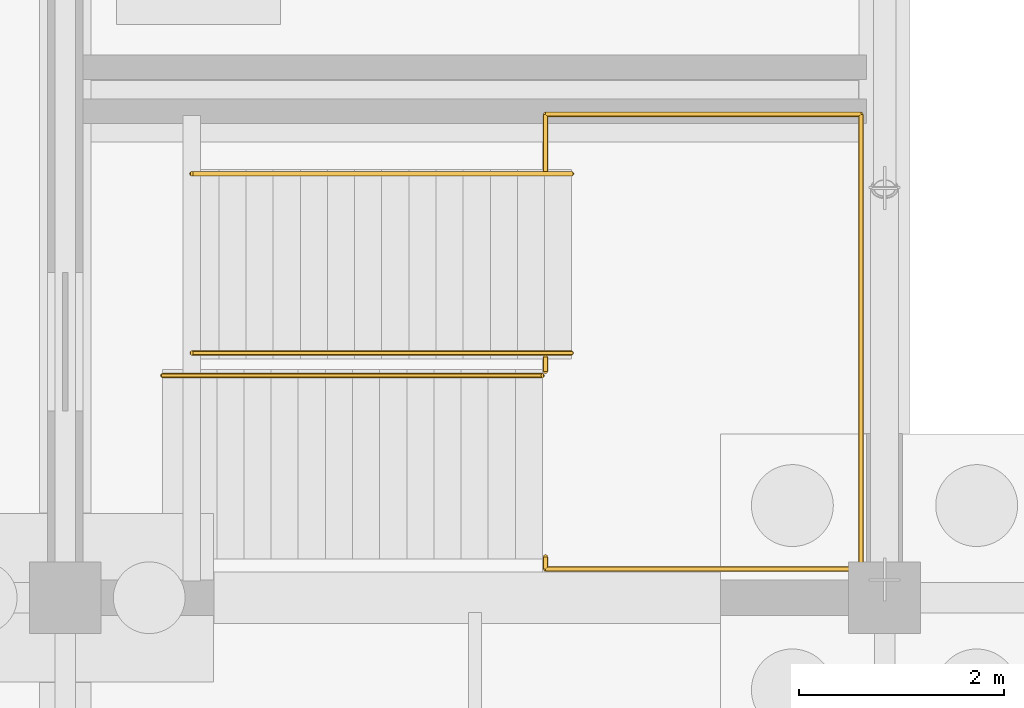
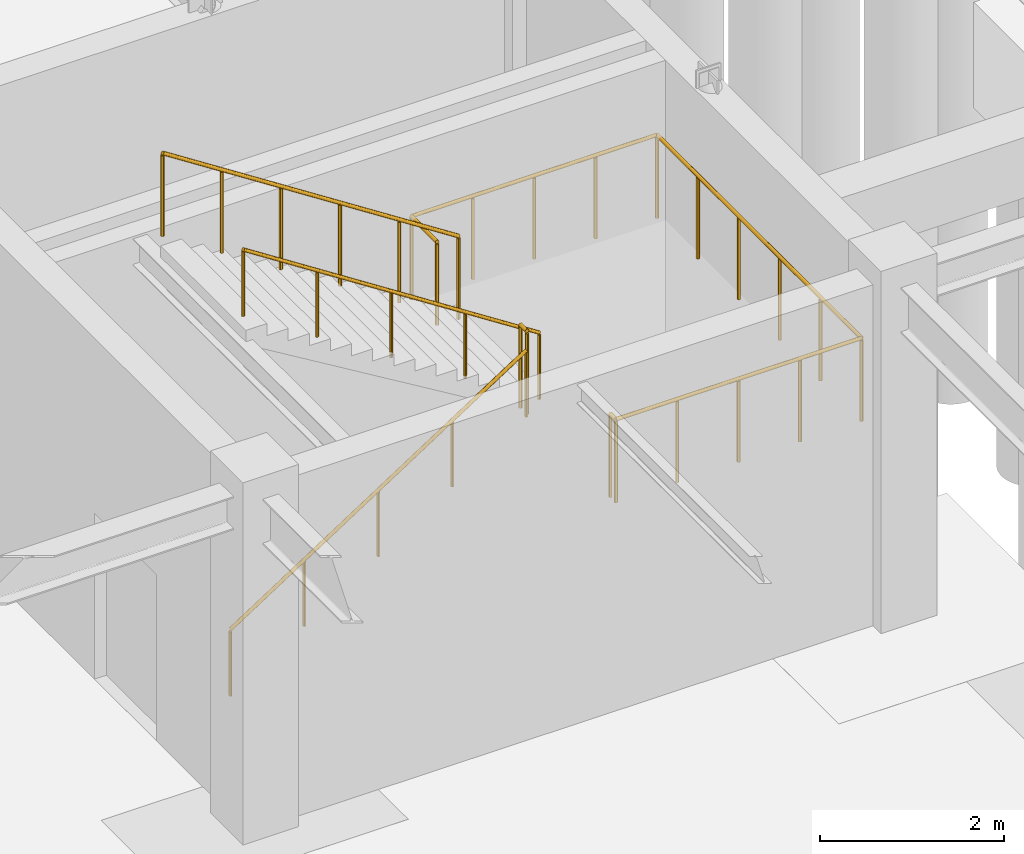
# One storey, part 69 of 72: 5 railings.
"""IFC4 building model written with IfcOpenShell, lengths in metres."""

from ifc_helpers import new_model, si_unit, direction, frame, origin, origin_2d, place, context, subcontext, project, spatial, circle, extrude, material, type_object, element, save


model = new_model("IFC4")

# Units and contexts
model_context = context("Model", 3, precision=1e-05, world=origin(), true_north=direction((0.0, 1.0)))
body_context = subcontext(model_context, "Body", "Model", "MODEL_VIEW")
ifc_project = project(units=[si_unit("LENGTHUNIT", "METRE"), si_unit("AREAUNIT", "SQUARE_METRE"), si_unit("VOLUMEUNIT", "CUBIC_METRE"), si_unit("PLANEANGLEUNIT", "RADIAN"), si_unit("MASSUNIT", "GRAM", prefix="KILO")], contexts=[model_context])

# Site, building, storey
site_placement = place(None, origin())
site = spatial("IfcSite", under=ifc_project, at=site_placement, CompositionType="ELEMENT")
building_placement = place(site_placement, origin())
building = spatial("IfcBuilding", under=site, at=building_placement, Name="Zhaolan Boulevard Law Courts", CompositionType="ELEMENT")
storey_placement = place(building_placement, frame((0.0, 0.0, -4.800048828125)))
storey = spatial("IfcBuildingStorey", under=building, at=storey_placement, Name="B1", CompositionType="ELEMENT", Elevation=-4.800048828125)

# Railings
ifc_material_1 = material(Name="Brushed stainless steel tubular handrail", Category="steel")
railing_type_1 = type_object("IfcRailingType", Name="STAIR HANDRAIL 900", PredefinedType="HANDRAIL", material=ifc_material_1)
railing_1_placement = place(storey_placement, frame((116.949951171875, 16.169921875, 0.0)))
element("IfcRailing", 1, at=railing_1_placement, inside=storey, type_object=railing_type_1, Name="Stair Handrail HR-ST05-B1-1", PredefinedType="HANDRAIL", context=body_context, shape_type="SweptSolid", body=[
    extrude(circle(Radius=0.0224609375, at=origin_2d()), frame((0.0, 0.0, 0.87744140625), z_axis=(0.839613143467, 0.0, 0.543184838999), x_axis=(0.0, 1.0, 0.0)), (0.0, 0.0, 1.0), 4.418701171875),
    extrude(circle(Radius=0.01904296875, at=origin_2d()), origin(), (0.0, 0.0, 1.0), 0.85498046875),
    extrude(circle(Radius=0.01904296875, at=origin_2d()), frame((0.927490234375, 0.0, 0.60009765625)), (0.0, 0.0, 1.0), 0.85498046875),
    extrude(circle(Radius=0.01904296875, at=origin_2d()), frame((1.85498046875, 0.0, 1.2001953125)), (0.0, 0.0, 1.0), 0.85498046875),
    extrude(circle(Radius=0.01904296875, at=origin_2d()), frame((2.782470703125, 0.0, 1.800048828125)), (0.0, 0.0, 1.0), 0.85498046875),
    extrude(circle(Radius=0.01904296875, at=origin_2d()), frame((3.7099609375, 0.0, 2.400146484375)), (0.0, 0.0, 1.0), 0.85498046875),
])
railing_2_placement = place(storey_placement, frame((120.945068359375, 16.389892578125, 2.400146484375)))
element("IfcRailing", 2, at=railing_2_placement, inside=storey, type_object=railing_type_1, Name="Stair Handrail HR-ST05-B1-2", PredefinedType="HANDRAIL", context=body_context, shape_type="SweptSolid", body=[
    extrude(circle(Radius=0.0224609375, at=origin_2d()), frame((0.0, 0.0, 0.87744140625), z_axis=(-0.839638341943, 0.0, 0.543145887161), x_axis=(0.0, -1.0, 0.0)), (0.0, 0.0, 1.0), 4.41845703125),
    extrude(circle(Radius=0.01904296875, at=origin_2d()), origin(), (0.0, 0.0, 1.0), 0.85498046875),
    extrude(circle(Radius=0.01904296875, at=origin_2d()), frame((-0.927490234375, 0.0, 0.60009765625)), (0.0, 0.0, 1.0), 0.85498046875),
    extrude(circle(Radius=0.01904296875, at=origin_2d()), frame((-1.85498046875, 0.0, 1.199951171875)), (0.0, 0.0, 1.0), 0.85498046875),
    extrude(circle(Radius=0.01904296875, at=origin_2d()), frame((-2.782470703125, 0.0, 1.7998046875)), (0.0, 0.0, 1.0), 0.85498046875),
    extrude(circle(Radius=0.01904296875, at=origin_2d()), frame((-3.7099609375, 0.0, 2.39990234375)), (0.0, 0.0, 1.0), 0.85498046875),
])
ifc_material_2 = material(Name="Powder-coated steel baluster guardrail", Category="steel")
railing_type_2 = type_object("IfcRailingType", Name="STAIR WELL GUARDRAIL 1120", PredefinedType="GUARDRAIL", material=ifc_material_2)
railing_3_placement = place(storey_placement, frame((120.68994140625, 14.39990234375, 2.400146484375)))
element("IfcRailing", 3, at=railing_3_placement, inside=storey, type_object=railing_type_2, Name="Half-Landing Guardrail SG-ST05-B1-M", PredefinedType="GUARDRAIL", context=body_context, shape_type="SweptSolid", body=[
    extrude(circle(Radius=0.02392578125, at=origin_2d()), frame((0.0, 0.0, 1.09619140625), z_axis=(0.0, -1.0, 0.0), x_axis=(1.0, 0.0, 0.0)), (0.0, 0.0, 1.0), 0.119873046875),
    extrude(circle(Radius=0.02392578125, at=origin_2d()), frame((0.0, -0.119873046875, 1.09619140625), z_axis=(1.0, 0.0, 0.0), x_axis=(0.0, 1.0, 0.0)), (0.0, 0.0, 1.0), 3.080078125),
    extrude(circle(Radius=0.02392578125, at=origin_2d()), frame((3.080078125, -0.119873046875, 1.09619140625), z_axis=(0.0, 1.0, 0.0), x_axis=(-1.0, 0.0, 0.0)), (0.0, 0.0, 1.0), 4.43994140625),
    extrude(circle(Radius=0.02392578125, at=origin_2d()), frame((3.080078125, 4.320068359375, 1.09619140625), z_axis=(-1.0, 0.0, 0.0), x_axis=(0.0, -1.0, 0.0)), (0.0, 0.0, 1.0), 3.080078125),
    extrude(circle(Radius=0.02392578125, at=origin_2d()), frame((0.0, 4.320068359375, 1.09619140625), z_axis=(0.0, -1.0, 0.0), x_axis=(1.0, 0.0, 0.0)), (0.0, 0.0, 1.0), 0.56005859375),
    extrude(circle(Radius=0.02099609375, at=origin_2d()), origin(), (0.0, 0.0, 1.0), 1.072021484375),
    extrude(circle(Radius=0.02099609375, at=origin_2d()), frame((0.0, -0.119873046875, 0.0)), (0.0, 0.0, 1.0), 1.072021484375),
    extrude(circle(Radius=0.02099609375, at=origin_2d()), frame((0.77001953125, -0.119873046875, 0.0)), (0.0, 0.0, 1.0), 1.072021484375),
    extrude(circle(Radius=0.02099609375, at=origin_2d()), frame((1.5400390625, -0.119873046875, 0.0)), (0.0, 0.0, 1.0), 1.072021484375),
    extrude(circle(Radius=0.02099609375, at=origin_2d()), frame((2.31005859375, -0.119873046875, 0.0)), (0.0, 0.0, 1.0), 1.072021484375),
    extrude(circle(Radius=0.02099609375, at=origin_2d()), frame((3.080078125, -0.119873046875, 0.0)), (0.0, 0.0, 1.0), 1.072021484375),
    extrude(circle(Radius=0.02099609375, at=origin_2d()), frame((3.080078125, 0.76806640625, 0.0)), (0.0, 0.0, 1.0), 1.072021484375),
    extrude(circle(Radius=0.02099609375, at=origin_2d()), frame((3.080078125, 1.656005859375, 0.0)), (0.0, 0.0, 1.0), 1.072021484375),
    extrude(circle(Radius=0.02099609375, at=origin_2d()), frame((3.080078125, 2.544189453125, 0.0)), (0.0, 0.0, 1.0), 1.072021484375),
    extrude(circle(Radius=0.02099609375, at=origin_2d()), frame((3.080078125, 3.43212890625, 0.0)), (0.0, 0.0, 1.0), 1.072021484375),
    extrude(circle(Radius=0.02099609375, at=origin_2d()), frame((3.080078125, 4.320068359375, 0.0)), (0.0, 0.0, 1.0), 1.072021484375),
    extrude(circle(Radius=0.02099609375, at=origin_2d()), frame((2.31005859375, 4.320068359375, 0.0)), (0.0, 0.0, 1.0), 1.072021484375),
    extrude(circle(Radius=0.02099609375, at=origin_2d()), frame((1.5400390625, 4.320068359375, 0.0)), (0.0, 0.0, 1.0), 1.072021484375),
    extrude(circle(Radius=0.02099609375, at=origin_2d()), frame((0.77001953125, 4.320068359375, 0.0)), (0.0, 0.0, 1.0), 1.072021484375),
    extrude(circle(Radius=0.02099609375, at=origin_2d()), frame((0.0, 4.320068359375, 0.0)), (0.0, 0.0, 1.0), 1.072021484375),
    extrude(circle(Radius=0.02099609375, at=origin_2d()), frame((0.0, 3.760009765625, 0.0)), (0.0, 0.0, 1.0), 1.072021484375),
])
railing_4_placement = place(storey_placement, frame((120.68994140625, 16.2099609375, 2.400146484375)))
element("IfcRailing", 4, at=railing_4_placement, inside=storey, type_object=railing_type_2, Name="Half-Landing Well Guardrail SG-ST05-B1-W", PredefinedType="GUARDRAIL", context=body_context, shape_type="SweptSolid", body=[
    extrude(circle(Radius=0.02392578125, at=origin_2d()), frame((0.0, 0.0, 1.09619140625), z_axis=(0.0, 1.0, 0.0), x_axis=(-1.0, 0.0, 0.0)), (0.0, 0.0, 1.0), 0.14013671875),
    extrude(circle(Radius=0.02099609375, at=origin_2d()), origin(), (0.0, 0.0, 1.0), 1.072021484375),
    extrude(circle(Radius=0.02099609375, at=origin_2d()), frame((0.0, 0.14013671875, 0.0)), (0.0, 0.0, 1.0), 1.072021484375),
])
railing_5_placement = place(storey_placement, frame((120.945068359375, 18.139892578125, 2.400146484375)))
element("IfcRailing", 5, at=railing_5_placement, inside=storey, type_object=railing_type_2, Name="Flight Guardrail SG-ST05-B1-F2", PredefinedType="GUARDRAIL", context=body_context, shape_type="SweptSolid", body=[
    extrude(circle(Radius=0.02392578125, at=origin_2d()), frame((0.0, 0.0, 1.09619140625), z_axis=(-0.839638341943, 0.0, 0.543145887161), x_axis=(0.0, -1.0, 0.0)), (0.0, 0.0, 1.0), 4.41845703125),
    extrude(circle(Radius=0.02099609375, at=origin_2d()), origin(), (0.0, 0.0, 1.0), 1.072021484375),
    extrude(circle(Radius=0.02099609375, at=origin_2d()), frame((-0.741943359375, 0.0, 0.47998046875)), (0.0, 0.0, 1.0), 1.072021484375),
    extrude(circle(Radius=0.02099609375, at=origin_2d()), frame((-1.48388671875, 0.0, 0.9599609375)), (0.0, 0.0, 1.0), 1.072021484375),
    extrude(circle(Radius=0.02099609375, at=origin_2d()), frame((-2.22607421875, 0.0, 1.43994140625)), (0.0, 0.0, 1.0), 1.072021484375),
    extrude(circle(Radius=0.02099609375, at=origin_2d()), frame((-2.968017578125, 0.0, 1.919921875)), (0.0, 0.0, 1.0), 1.072021484375),
    extrude(circle(Radius=0.02099609375, at=origin_2d()), frame((-3.7099609375, 0.0, 2.39990234375)), (0.0, 0.0, 1.0), 1.072021484375),
])

save(model, "model.ifc")
